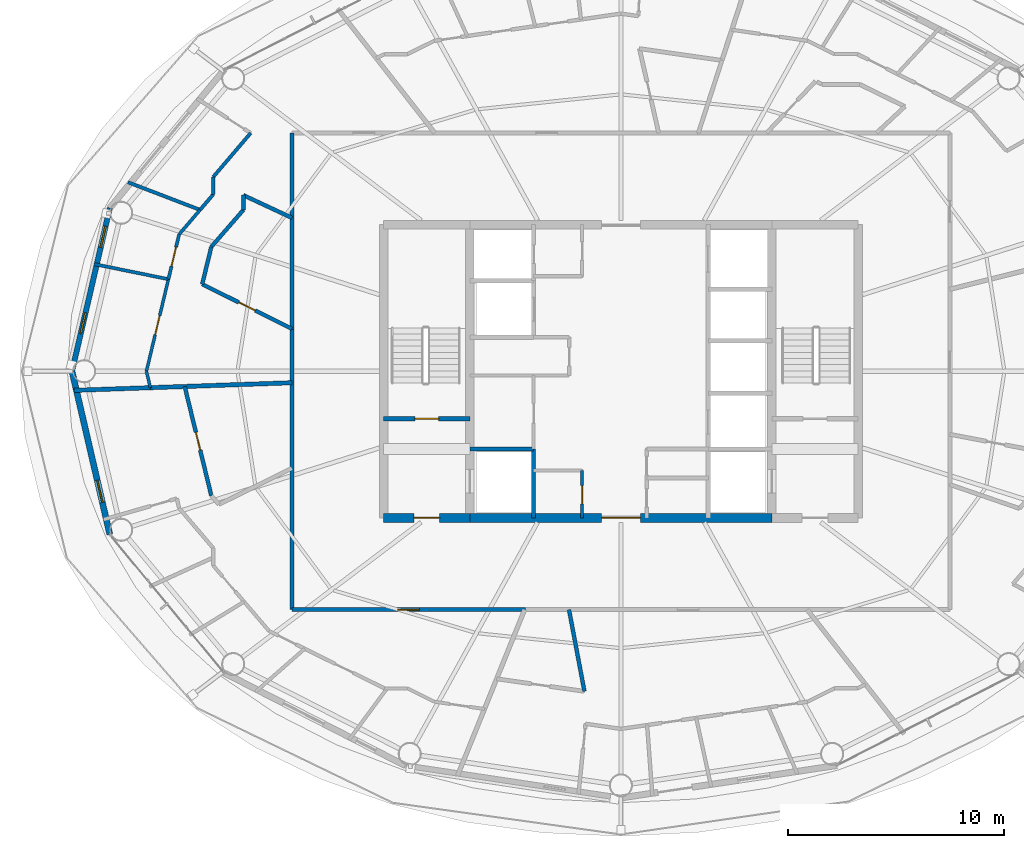
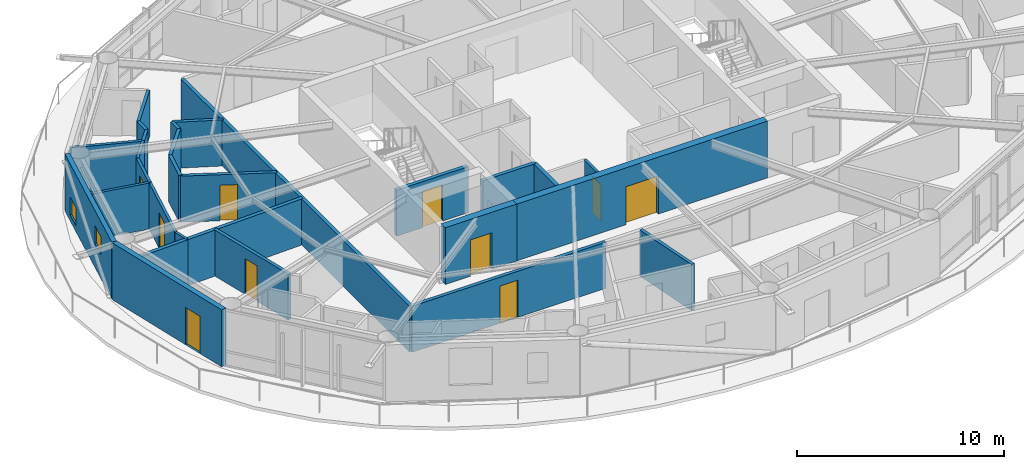
# One storey, part 16 of 23: 29 walls, 10 doors, 2 windows, 12 openings.
"""IFC4 building model written with IfcOpenShell, lengths in metres."""

from ifc_helpers import new_model, si_unit, direction, frame, frame_2d, origin, place, context, subcontext, project, spatial, rectangle, extrude, material, layer, layer_set, type_object, element, fill, save


model = new_model("IFC4")

# Units and contexts
model_context = context("Model", 3, precision=1e-05, world=origin(), true_north=direction((0.0, 1.0)))
body_context = subcontext(model_context, "Body", "Model", "MODEL_VIEW")
ifc_project = project(units=[si_unit("LENGTHUNIT", "METRE"), si_unit("AREAUNIT", "SQUARE_METRE"), si_unit("VOLUMEUNIT", "CUBIC_METRE"), si_unit("PLANEANGLEUNIT", "RADIAN"), si_unit("MASSUNIT", "GRAM", prefix="KILO")], contexts=[model_context])

# Site, building, storey
site_placement = place(None, origin())
site = spatial("IfcSite", under=ifc_project, at=site_placement, CompositionType="ELEMENT")
building_placement = place(site_placement, origin())
building = spatial("IfcBuilding", under=site, at=building_placement, Name="Sarneth Arch Tower", CompositionType="ELEMENT")
storey_placement = place(building_placement, frame((0.0, 0.0, 238.800048828125)))
storey = spatial("IfcBuildingStorey", under=building, at=storey_placement, Name="L61", CompositionType="ELEMENT", Elevation=238.800048828125)

# Wall, opening, door
ifc_material_1 = material(Name="Concrete C50/60", Category="concrete")
ifc_layer_1 = layer(ifc_material_1, 0.39990234375)
ifc_layer_set_1 = layer_set([ifc_layer_1], Name="Concrete C50/60")
wall_type_1 = type_object("IfcWallType", Name="WALL-CORE-400", PredefinedType="SHEAR", material=ifc_layer_set_1)
wall_1_placement = place(storey_placement, frame((37.0, 35.199951171875, 0.0), z_axis=(0.0, 0.0, 1.0), x_axis=(1.0, 0.0, 0.0)))
wall_1 = element("IfcWall", 1, at=wall_1_placement, inside=storey, type_object=wall_type_1, Name="L61 Core shear wall S-W", PredefinedType="SHEAR", context=body_context, shape_type="SweptSolid", body=[
    extrude(rectangle(XDim=4.0, YDim=0.39990234375, at=frame_2d((2.0, 0.0))), origin(), (0.0, 0.0, 1.0), 3.35986328125),
])
opening_1_placement = place(wall_1_placement, frame((1.39990234375, 0.0, 0.0)))
opening_1 = element("IfcOpeningElement", 2, at=opening_1_placement, cuts=wall_1, Name="Opening FD-02", PredefinedType="OPENING", context=body_context, shape_type="SweptSolid", body=[
    extrude(rectangle(XDim=1.199951171875, YDim=2.14990234375, at=frame_2d((0.60009765625, 1.074951171875))), frame((0.0, 0.2099609375, 0.0), z_axis=(0.0, -1.0, 0.0), x_axis=(1.0, 0.0, 0.0)), (0.0, 0.0, 1.0), 0.419921875),
])
ifc_material_2 = material(Name="Galvanised Steel S275 fire door set", Category="steel")
door_type_1 = type_object("IfcDoorType", Name="DR-FD90-1200", OperationType="SINGLE_SWING_LEFT", PredefinedType="DOOR", material=ifc_material_2)
door_1_placement = place(opening_1_placement, origin())
door_1 = element("IfcDoor", 3, at=door_1_placement, inside=storey, type_object=door_type_1, Name="L61 Firefighting lobby 1 exit door", OperationType="SINGLE_SWING_LEFT", OverallHeight=2.14990234375, OverallWidth=1.199951171875, PredefinedType="DOOR", context=body_context, shape_type="SweptSolid", body=[
    extrude(rectangle(XDim=1.199951171875, YDim=2.14990234375, at=frame_2d((0.60009765625, 1.074951171875))), frame((0.0, 0.02490234375, 0.0), z_axis=(0.0, -1.0, 0.0), x_axis=(1.0, 0.0, 0.0)), (0.0, 0.0, 1.0), 0.050048828125),
])
fill(opening_1, door_1)

wall_2_placement = place(storey_placement, frame((41.0, 35.199951171875, 0.0), z_axis=(0.0, 0.0, 1.0), x_axis=(1.0, 0.0, 0.0)))
wall_2 = element("IfcWall", 4, at=wall_2_placement, inside=storey, type_object=wall_type_1, Name="L61 Core shear wall S-M", PredefinedType="SHEAR", context=body_context, shape_type="SweptSolid", body=[
    extrude(rectangle(XDim=14.0, YDim=0.39990234375, at=frame_2d((7.0, 0.0))), origin(), (0.0, 0.0, 1.0), 3.35986328125),
])
opening_2_placement = place(wall_2_placement, frame((6.10009765625, 0.0, 0.0)))
opening_2 = element("IfcOpeningElement", 5, at=opening_2_placement, cuts=wall_2, Name="Opening FD-01", PredefinedType="OPENING", context=body_context, shape_type="SweptSolid", body=[
    extrude(rectangle(XDim=1.800048828125, YDim=2.25, at=frame_2d((0.89990234375, 1.125))), frame((0.0, 0.2099609375, 0.0), z_axis=(0.0, -1.0, 0.0), x_axis=(1.0, 0.0, 0.0)), (0.0, 0.0, 1.0), 0.419921875),
])
ifc_material_3 = material(Name="Galvanised Steel S275 fire door set", Category="steel")
door_type_2 = type_object("IfcDoorType", Name="DR-FD90-1800", OperationType="DOUBLE_DOOR_SINGLE_SWING", PredefinedType="DOOR", material=ifc_material_3)
door_2_placement = place(opening_2_placement, origin())
door_2 = element("IfcDoor", 6, at=door_2_placement, inside=storey, type_object=door_type_2, Name="L61 Central lift lobby south door", OperationType="DOUBLE_DOOR_SINGLE_SWING", OverallHeight=2.25, OverallWidth=1.800048828125, PredefinedType="DOOR", context=body_context, shape_type="SweptSolid", body=[
    extrude(rectangle(XDim=1.800048828125, YDim=2.25, at=frame_2d((0.89990234375, 1.125))), frame((0.0, 0.02490234375, 0.0), z_axis=(0.0, -1.0, 0.0), x_axis=(1.0, 0.0, 0.0)), (0.0, 0.0, 1.0), 0.050048828125),
])
fill(opening_2, door_2)

ifc_material_4 = material(Name="Double steel-stud corridor fire wall", Category="steel")
ifc_layer_2 = layer(ifc_material_4, 0.18994140625)
ifc_layer_set_2 = layer_set([ifc_layer_2], Name="Double steel-stud corridor fire wall")
wall_type_2 = type_object("IfcWallType", Name="WALL-CORR-190", PredefinedType="PARTITIONING", material=ifc_layer_set_2)
wall_3_placement = place(storey_placement, frame((43.570068359375, 30.949951171875, 0.0), z_axis=(0.0, 0.0, 1.0), x_axis=(-1.0, 0.0, 0.0)))
wall_3 = element("IfcWall", 7, at=wall_3_placement, inside=storey, type_object=wall_type_2, Name="L61 Interior partition W-L61-TP-011", PredefinedType="PARTITIONING", context=body_context, shape_type="SweptSolid", body=[
    extrude(rectangle(XDim=10.820068359375, YDim=0.18994140625, at=frame_2d((5.41015625, 0.0))), origin(), (0.0, 0.0, 1.0), 2.719970703125),
])
opening_3_placement = place(wall_3_placement, frame((4.909912109375, 0.0, 0.0)))
opening_3 = element("IfcOpeningElement", 8, at=opening_3_placement, cuts=wall_3, Name="Opening FD-08", PredefinedType="OPENING", context=body_context, shape_type="SweptSolid", body=[
    extrude(rectangle(XDim=1.0, YDim=2.199951171875, at=frame_2d((0.5, 1.10009765625))), frame((0.0, 0.10498046875, 0.0), z_axis=(0.0, -1.0, 0.0), x_axis=(1.0, 0.0, 0.0)), (0.0, 0.0, 1.0), 0.2099609375),
])
ifc_material_5 = material(Name="Hardwood timber acoustic fire door", Category="wood")
door_type_3 = type_object("IfcDoorType", Name="DR-FD60-1000", OperationType="SINGLE_SWING_LEFT", PredefinedType="DOOR", material=ifc_material_5)
door_3_placement = place(opening_3_placement, origin())
door_3 = element("IfcDoor", 9, at=door_3_placement, inside=storey, type_object=door_type_3, Name="L61 Interior door DR-L61-U4-ENT", OperationType="SINGLE_SWING_LEFT", OverallHeight=2.199951171875, OverallWidth=1.0, PredefinedType="DOOR", context=body_context, shape_type="SweptSolid", body=[
    extrude(rectangle(XDim=1.0, YDim=2.199951171875, at=frame_2d((0.5, 1.10009765625))), frame((0.0, 0.02490234375, 0.0), z_axis=(0.0, -1.0, 0.0), x_axis=(1.0, 0.0, 0.0)), (0.0, 0.0, 1.0), 0.050048828125),
])
fill(opening_3, door_3)

# Walls
wall_4_placement = place(storey_placement, frame((32.75, 30.949951171875, 0.0), z_axis=(0.0, 0.0, 1.0), x_axis=(0.0, 1.0, 0.0)))
element("IfcWall", 10, at=wall_4_placement, inside=storey, type_object=wall_type_2, Name="L61 Interior partition W-L61-TP-012", PredefinedType="PARTITIONING", context=body_context, shape_type="SweptSolid", body=[
    extrude(rectangle(XDim=13.054443359375, YDim=0.18994140625, at=frame_2d((6.52734375, 0.0))), origin(), (0.0, 0.0, 1.0), 2.719970703125),
])
wall_5_placement = place(storey_placement, frame((32.75, 43.932861328125, 0.0), z_axis=(0.0, 0.0, 1.0), x_axis=(0.0, 1.0, 0.0)))
element("IfcWall", 11, at=wall_5_placement, inside=storey, type_object=wall_type_2, Name="L61 Interior partition W-L61-TP-010", PredefinedType="PARTITIONING", context=body_context, shape_type="SweptSolid", body=[
    extrude(rectangle(XDim=9.1171875, YDim=0.18994140625, at=frame_2d((4.55859375, 0.0))), origin(), (0.0, 0.0, 1.0), 2.719970703125),
])

# Wall, openings, windows
ifc_material_6 = material(Name="Extruded terracotta rainscreen on Concrete C40/50 backing", Category="masonry")
ifc_layer_3 = layer(ifc_material_6, 0.25)
ifc_layer_set_3 = layer_set([ifc_layer_3], Name="Extruded terracotta rainscreen on Concrete C40/50 backing")
wall_type_3 = type_object("IfcWallType", Name="WALL-EXT-SPAND-250", PredefinedType="SOLIDWALL", material=ifc_layer_set_3)
wall_6_placement = place(storey_placement, frame((24.30615234375, 49.569580078125, 0.0), z_axis=(0.0, 0.0, 1.0), x_axis=(-0.225635078214, -0.974211892495, 0.0)))
wall_6 = element("IfcWall", 12, at=wall_6_placement, inside=storey, type_object=wall_type_3, Name="L61 Terracotta perimeter wall 08", PredefinedType="SOLIDWALL", context=body_context, shape_type="SweptSolid", body=[
    extrude(rectangle(XDim=7.77001953125, YDim=0.25, at=frame_2d((3.885009765625, 0.0))), origin(), (0.0, 0.0, 1.0), 3.35986328125),
])
opening_4_placement = place(wall_6_placement, frame((0.877685546875, 0.0, 0.35009765625)))
opening_4 = element("IfcOpeningElement", 13, at=opening_4_placement, cuts=wall_6, Name="Opening W-14", PredefinedType="OPENING", context=body_context, shape_type="SweptSolid", body=[
    extrude(rectangle(XDim=1.0, YDim=1.050048828125, at=frame_2d((0.5, 0.52490234375))), frame((0.0, 0.135009765625, 0.0), z_axis=(0.0, -1.0, 0.0), x_axis=(1.0, 0.0, 0.0)), (0.0, 0.0, 1.0), 0.27001953125),
])
opening_5_placement = place(wall_6_placement, frame((4.984619140625, 0.0, 1.419921875)))
opening_5 = element("IfcOpeningElement", 14, at=opening_5_placement, cuts=wall_6, Name="Opening W-14", PredefinedType="OPENING", context=body_context, shape_type="SweptSolid", body=[
    extrude(rectangle(XDim=1.0, YDim=1.050048828125, at=frame_2d((0.5, 0.52490234375))), frame((0.0, 0.135009765625, 0.0), z_axis=(0.0, -1.0, 0.0), x_axis=(1.0, 0.0, 0.0)), (0.0, 0.0, 1.0), 0.27001953125),
])
ifc_material_7 = material(Name="Thermally broken Aluminium 6063-T6 and low-e laminated IGU", Category="aluminium")
window_type = type_object("IfcWindowType", Name="WIN-TWR-1000x1050", PartitioningType="SINGLE_PANEL", PredefinedType="WINDOW", material=ifc_material_7)
window_1_placement = place(opening_4_placement, origin())
window_1 = element("IfcWindow", 15, at=window_1_placement, inside=storey, type_object=window_type, Name="L61 Dwelling bedroom window 03", OverallHeight=1.050048828125, OverallWidth=1.0, PartitioningType="SINGLE_PANEL", PredefinedType="WINDOW", context=body_context, shape_type="SweptSolid", body=[
    extrude(rectangle(XDim=1.0, YDim=1.050048828125, at=frame_2d((0.5, 0.52490234375))), frame((0.0, 0.030029296875, 0.0), z_axis=(0.0, -1.0, 0.0), x_axis=(1.0, 0.0, 0.0)), (0.0, 0.0, 1.0), 0.06005859375),
])
fill(opening_4, window_1)
window_2_placement = place(opening_5_placement, origin())
window_2 = element("IfcWindow", 16, at=window_2_placement, inside=storey, type_object=window_type, Name="L61 Dwelling bedroom window 04", OverallHeight=1.050048828125, OverallWidth=1.0, PartitioningType="SINGLE_PANEL", PredefinedType="WINDOW", context=body_context, shape_type="SweptSolid", body=[
    extrude(rectangle(XDim=1.0, YDim=1.050048828125, at=frame_2d((0.5, 0.52490234375))), frame((0.0, 0.030029296875, 0.0), z_axis=(0.0, -1.0, 0.0), x_axis=(1.0, 0.0, 0.0)), (0.0, 0.0, 1.0), 0.06005859375),
])
fill(opening_5, window_2)

# Wall, opening, door
ifc_material_8 = material(Name="Extruded terracotta rainscreen on Concrete C40/50 backing", Category="masonry")
ifc_layer_4 = layer(ifc_material_8, 0.280029296875)
ifc_layer_set_4 = layer_set([ifc_layer_4], Name="Extruded terracotta rainscreen on Concrete C40/50 backing")
wall_type_4 = type_object("IfcWallType", Name="WALL-EXT-TERRA-280", PredefinedType="SOLIDWALL", material=ifc_layer_set_4)
wall_7_placement = place(storey_placement, frame((22.552978515625, 42.0, 0.0), z_axis=(0.0, 0.0, 1.0), x_axis=(0.225635078214, -0.974211892495, 0.0)))
wall_7 = element("IfcWall", 17, at=wall_7_placement, inside=storey, type_object=wall_type_4, Name="L61 Terracotta perimeter wall 09", PredefinedType="SOLIDWALL", context=body_context, shape_type="SweptSolid", body=[
    extrude(rectangle(XDim=7.77001953125, YDim=0.280029296875, at=frame_2d((3.885009765625, 0.0))), origin(), (0.0, 0.0, 1.0), 3.35986328125),
])
opening_6_placement = place(wall_7_placement, frame((5.192138671875, 0.0, 0.0)))
opening_6 = element("IfcOpeningElement", 18, at=opening_6_placement, cuts=wall_7, Name="Opening BD-4", PredefinedType="OPENING", context=body_context, shape_type="SweptSolid", body=[
    extrude(rectangle(XDim=1.050048828125, YDim=2.199951171875, at=frame_2d((0.52490234375, 1.10009765625))), frame((0.0, 0.14990234375, 0.0), z_axis=(0.0, -1.0, 0.0), x_axis=(1.0, 0.0, 0.0)), (0.0, 0.0, 1.0), 0.300048828125),
])
ifc_material_9 = material(Name="Thermally broken Aluminium 6063-T6 and laminated safety glass", Category="aluminium")
door_type_4 = type_object("IfcDoorType", Name="DR-BALC-GLZ-1050", OperationType="SINGLE_SWING_RIGHT", PredefinedType="DOOR", material=ifc_material_9)
door_4_placement = place(opening_6_placement, origin())
door_4 = element("IfcDoor", 19, at=door_4_placement, inside=storey, type_object=door_type_4, Name="L61 Balcony glazed door 09", OperationType="SINGLE_SWING_RIGHT", OverallHeight=2.199951171875, OverallWidth=1.050048828125, PredefinedType="DOOR", context=body_context, shape_type="SweptSolid", body=[
    extrude(rectangle(XDim=1.050048828125, YDim=2.199951171875, at=frame_2d((0.52490234375, 1.10009765625))), frame((0.0, 0.02490234375, 0.0), z_axis=(0.0, -1.0, 0.0), x_axis=(1.0, 0.0, 0.0)), (0.0, 0.0, 1.0), 0.050048828125),
])
fill(opening_6, door_4)

ifc_material_10 = material(Name="Apartment internal stud partition", Category="gypsum")
ifc_layer_5 = layer(ifc_material_10, 0.139892578125)
ifc_layer_set_5 = layer_set([ifc_layer_5], Name="Apartment internal stud partition")
wall_type_5 = type_object("IfcWallType", Name="WALL-PART-140", PredefinedType="PARTITIONING", material=ifc_layer_set_5)
wall_8_placement = place(storey_placement, frame((27.02294921875, 46.267822265625, 0.0), z_axis=(0.0, 0.0, 1.0), x_axis=(-0.232297465709, -0.972644789954, 0.0)))
wall_8 = element("IfcWall", 20, at=wall_8_placement, inside=storey, type_object=wall_type_5, Name="L61 Interior partition W-L61-TP-069", PredefinedType="PARTITIONING", context=body_context, shape_type="SweptSolid", body=[
    extrude(rectangle(XDim=4.387939453125, YDim=0.139892578125, at=frame_2d((2.19384765625, 0.0))), origin(), (0.0, 0.0, 1.0), 2.719970703125),
])
opening_7_placement = place(wall_8_placement, frame((1.743896484375, 0.0, 0.0)))
opening_7 = element("IfcOpeningElement", 21, at=opening_7_placement, cuts=wall_8, Name="Opening ID-01", PredefinedType="OPENING", context=body_context, shape_type="SweptSolid", body=[
    extrude(rectangle(XDim=0.89990234375, YDim=2.10009765625, at=frame_2d((0.449951171875, 1.050048828125))), frame((0.0, 0.079833984375, 0.0), z_axis=(0.0, -1.0, 0.0), x_axis=(1.0, 0.0, 0.0)), (0.0, 0.0, 1.0), 0.159912109375),
])
ifc_material_11 = material(Name="Engineered hardwood flush door", Category="wood")
door_type_5 = type_object("IfcDoorType", Name="DR-INT-900", OperationType="SINGLE_SWING_LEFT", PredefinedType="DOOR", material=ifc_material_11)
door_5_placement = place(opening_7_placement, origin())
door_5 = element("IfcDoor", 22, at=door_5_placement, inside=storey, type_object=door_type_5, Name="L61 Interior door DR-L61-U3-BED2", OperationType="SINGLE_SWING_LEFT", OverallHeight=2.10009765625, OverallWidth=0.89990234375, PredefinedType="DOOR", context=body_context, shape_type="SweptSolid", body=[
    extrude(rectangle(XDim=0.89990234375, YDim=2.10009765625, at=frame_2d((0.449951171875, 1.050048828125))), frame((0.0, 0.02490234375, 0.0), z_axis=(0.0, -1.0, 0.0), x_axis=(1.0, 0.0, 0.0)), (0.0, 0.0, 1.0), 0.050048828125),
])
fill(opening_7, door_5)

# Wall
wall_9_placement = place(storey_placement, frame((26.003662109375, 42.0, 0.0), z_axis=(0.0, 0.0, 1.0), x_axis=(0.232252672351, -0.972655486894, 0.0)))
element("IfcWall", 23, at=wall_9_placement, inside=storey, type_object=wall_type_5, Name="L61 Interior partition W-L61-TP-070", PredefinedType="PARTITIONING", context=body_context, shape_type="SweptSolid", body=[
    extrude(rectangle(XDim=0.783203125, YDim=0.139892578125, at=frame_2d((0.3916015625, 0.0))), origin(), (0.0, 0.0, 1.0), 2.719970703125),
])

# Wall, opening, door
ifc_material_12 = material(Name="Acoustic gypsum stud partition", Category="gypsum")
ifc_layer_6 = layer(ifc_material_12, 0.14990234375)
ifc_layer_set_6 = layer_set([ifc_layer_6], Name="Acoustic gypsum stud partition")
wall_type_6 = type_object("IfcWallType", Name="WALL-PART-150", PredefinedType="PARTITIONING", material=ifc_layer_set_6)
wall_10_placement = place(storey_placement, frame((46.199951171875, 35.199951171875, 0.0), z_axis=(0.0, 0.0, 1.0), x_axis=(0.0, 1.0, 0.0)))
wall_10 = element("IfcWall", 24, at=wall_10_placement, inside=storey, type_object=wall_type_6, Name="L61 Interior partition W-L61-CSUP1-E", PredefinedType="PARTITIONING", context=body_context, shape_type="SweptSolid", body=[
    extrude(rectangle(XDim=2.199951171875, YDim=0.14990234375, at=frame_2d((1.10009765625, 0.0))), origin(), (0.0, 0.0, 1.0), 2.719970703125),
])
opening_8_placement = place(wall_10_placement, frame((0.64990234375, 0.0, 0.0)))
opening_8 = element("IfcOpeningElement", 25, at=opening_8_placement, cuts=wall_10, Name="Opening FD-11", PredefinedType="OPENING", context=body_context, shape_type="SweptSolid", body=[
    extrude(rectangle(XDim=0.85009765625, YDim=2.14990234375, at=frame_2d((0.425048828125, 1.074951171875))), frame((0.0, 0.0849609375, 0.0), z_axis=(0.0, -1.0, 0.0), x_axis=(1.0, 0.0, 0.0)), (0.0, 0.0, 1.0), 0.169921875),
])
ifc_material_13 = material(Name="Galvanised Steel S275 closet fire door", Category="steel")
door_type_6 = type_object("IfcDoorType", Name="DR-FD60-850", OperationType="SINGLE_SWING_LEFT", PredefinedType="DOOR", material=ifc_material_13)
door_6_placement = place(opening_8_placement, origin())
door_6 = element("IfcDoor", 26, at=door_6_placement, inside=storey, type_object=door_type_6, Name="L61 Interior door DR-L61-CSUP1", OperationType="SINGLE_SWING_LEFT", OverallHeight=2.14990234375, OverallWidth=0.85009765625, PredefinedType="DOOR", context=body_context, shape_type="SweptSolid", body=[
    extrude(rectangle(XDim=0.85009765625, YDim=2.14990234375, at=frame_2d((0.425048828125, 1.074951171875))), frame((0.0, 0.02490234375, 0.0), z_axis=(0.0, -1.0, 0.0), x_axis=(1.0, 0.0, 0.0)), (0.0, 0.0, 1.0), 0.050048828125),
])
fill(opening_8, door_6)

# Wall
wall_11_placement = place(storey_placement, frame((23.58056640625, 46.96826171875, 0.0), z_axis=(0.0, 0.0, 1.0), x_axis=(0.979920324581, -0.199389461789, 0.0)))
element("IfcWall", 27, at=wall_11_placement, inside=storey, type_object=wall_type_6, Name="L61 Interior partition W-L61-TP-074", PredefinedType="PARTITIONING", context=body_context, shape_type="SweptSolid", body=[
    extrude(rectangle(XDim=3.512939453125, YDim=0.14990234375, at=frame_2d((1.75634765625, 0.0))), origin(), (0.0, 0.0, 1.0), 2.719970703125),
])

# Wall, opening, door
wall_12_placement = place(storey_placement, frame((27.51904296875, 48.344970703125, 0.0), z_axis=(0.0, 0.0, 1.0), x_axis=(-0.232300509632, -0.972644062967, 0.0)))
wall_12 = element("IfcWall", 28, at=wall_12_placement, inside=storey, type_object=wall_type_6, Name="L61 Interior partition W-L61-TP-068", PredefinedType="PARTITIONING", context=body_context, shape_type="SweptSolid", body=[
    extrude(rectangle(XDim=2.135498046875, YDim=0.14990234375, at=frame_2d((1.06787109375, 0.0))), origin(), (0.0, 0.0, 1.0), 2.719970703125),
])
opening_9_placement = place(wall_12_placement, frame((0.617919921875, 0.0, 0.0)))
opening_9 = element("IfcOpeningElement", 29, at=opening_9_placement, cuts=wall_12, Name="Opening ID-01", PredefinedType="OPENING", context=body_context, shape_type="SweptSolid", body=[
    extrude(rectangle(XDim=0.89990234375, YDim=2.10009765625, at=frame_2d((0.449951171875, 1.050048828125))), frame((0.0, 0.0849609375, 0.0), z_axis=(0.0, -1.0, 0.0), x_axis=(1.0, 0.0, 0.0)), (0.0, 0.0, 1.0), 0.169921875),
])
door_7_placement = place(opening_9_placement, origin())
door_7 = element("IfcDoor", 30, at=door_7_placement, inside=storey, type_object=door_type_5, Name="L61 Interior door DR-L61-U3-BED1", OperationType="SINGLE_SWING_LEFT", OverallHeight=2.10009765625, OverallWidth=0.89990234375, PredefinedType="DOOR", context=body_context, shape_type="SweptSolid", body=[
    extrude(rectangle(XDim=0.89990234375, YDim=2.10009765625, at=frame_2d((0.449951171875, 1.050048828125))), frame((0.0, 0.02490234375, 0.0), z_axis=(0.0, -1.0, 0.0), x_axis=(1.0, 0.0, 0.0)), (0.0, 0.0, 1.0), 0.050048828125),
])
fill(opening_9, door_7)

# Walls
wall_13_placement = place(storey_placement, frame((28.489013671875, 49.481201171875, 0.0), z_axis=(0.0, 0.0, 1.0), x_axis=(-0.64926929687, -0.760558597441, 0.0)))
element("IfcWall", 31, at=wall_13_placement, inside=storey, type_object=wall_type_6, Name="L61 Interior partition W-L61-TP-067", PredefinedType="PARTITIONING", context=body_context, shape_type="SweptSolid", body=[
    extrude(rectangle(XDim=1.493896484375, YDim=0.14990234375, at=frame_2d((0.7470703125, 0.0))), origin(), (0.0, 0.0, 1.0), 2.719970703125),
])
ifc_material_14 = material(Name="Kitchen wet service chase wall", Category="gypsum")
ifc_layer_7 = layer(ifc_material_14, 0.159912109375)
ifc_layer_set_7 = layer_set([ifc_layer_7], Name="Kitchen wet service chase wall")
wall_type_7 = type_object("IfcWallType", Name="WALL-PLUMB-160", PredefinedType="PLUMBINGWALL", material=ifc_layer_set_7)
wall_14_placement = place(storey_placement, frame((25.146484375, 50.762939453125, 0.0), z_axis=(0.0, 0.0, 1.0), x_axis=(0.933705463068, -0.358042048142, 0.0)))
element("IfcWall", 32, at=wall_14_placement, inside=storey, type_object=wall_type_7, Name="L61 Interior partition W-L61-TP-073", PredefinedType="PLUMBINGWALL", context=body_context, shape_type="SweptSolid", body=[
    extrude(rectangle(XDim=3.579833984375, YDim=0.159912109375, at=frame_2d((1.7900390625, 0.0))), origin(), (0.0, 0.0, 1.0), 2.719970703125),
])
wall_15_placement = place(storey_placement, frame((30.836181640625, 53.04248046875, 0.0), z_axis=(0.0, 0.0, 1.0), x_axis=(-0.648948159828, -0.760832626703, 0.0)))
element("IfcWall", 33, at=wall_15_placement, inside=storey, type_object=wall_type_7, Name="L61 Interior partition W-L61-TP-059", PredefinedType="PLUMBINGWALL", context=body_context, shape_type="SweptSolid", body=[
    extrude(rectangle(XDim=2.67529296875, YDim=0.159912109375, at=frame_2d((1.337646484375, 0.0))), origin(), (0.0, 0.0, 1.0), 2.719970703125),
])
wall_16_placement = place(storey_placement, frame((29.10009765625, 50.197021484375, 0.0), z_axis=(0.0, 0.0, 1.0), x_axis=(-0.649273359201, -0.760555129515, 0.0)))
element("IfcWall", 34, at=wall_16_placement, inside=storey, type_object=wall_type_7, Name="L61 Interior partition W-L61-TP-061", PredefinedType="PLUMBINGWALL", context=body_context, shape_type="SweptSolid", body=[
    extrude(rectangle(XDim=0.941162109375, YDim=0.159912109375, at=frame_2d((0.470703125, 0.0))), origin(), (0.0, 0.0, 1.0), 2.719970703125),
])
wall_17_placement = place(storey_placement, frame((29.10009765625, 51.007080078125, 0.0), z_axis=(0.0, 0.0, 1.0), x_axis=(0.0, -1.0, 0.0)))
element("IfcWall", 35, at=wall_17_placement, inside=storey, type_object=wall_type_7, Name="L61 Interior partition W-L61-TP-060", PredefinedType="PLUMBINGWALL", context=body_context, shape_type="SweptSolid", body=[
    extrude(rectangle(XDim=0.81005859375, YDim=0.159912109375, at=frame_2d((0.405029296875, 0.0))), origin(), (0.0, 0.0, 1.0), 2.719970703125),
])

# Wall, opening, door
ifc_material_15 = material(Name="Moisture-resistant plumbing chase wall", Category="gypsum")
ifc_layer_8 = layer(ifc_material_15, 0.179931640625)
ifc_layer_set_8 = layer_set([ifc_layer_8], Name="Moisture-resistant plumbing chase wall")
wall_type_8 = type_object("IfcWallType", Name="WALL-PLUMB-180", PredefinedType="PLUMBINGWALL", material=ifc_layer_set_8)
wall_18_placement = place(storey_placement, frame((29.012451171875, 36.22900390625, 0.0), z_axis=(0.0, 0.0, 1.0), x_axis=(-0.236558321497, 0.971617291185, 0.0)))
wall_18 = element("IfcWall", 36, at=wall_18_placement, inside=storey, type_object=wall_type_8, Name="L61 Interior partition W-L61-TP-084", PredefinedType="PLUMBINGWALL", context=body_context, shape_type="SweptSolid", body=[
    extrude(rectangle(XDim=5.212890625, YDim=0.179931640625, at=frame_2d((2.6064453125, 0.0))), origin(), (0.0, 0.0, 1.0), 2.719970703125),
])
opening_10_placement = place(wall_18_placement, frame((2.181396484375, 0.0, 0.0)))
opening_10 = element("IfcOpeningElement", 37, at=opening_10_placement, cuts=wall_18, Name="Opening ID-02", PredefinedType="OPENING", context=body_context, shape_type="SweptSolid", body=[
    extrude(rectangle(XDim=0.85009765625, YDim=2.10009765625, at=frame_2d((0.425048828125, 1.050048828125))), frame((0.0, 0.099853515625, 0.0), z_axis=(0.0, -1.0, 0.0), x_axis=(1.0, 0.0, 0.0)), (0.0, 0.0, 1.0), 0.199951171875),
])
ifc_material_16 = material(Name="Moisture-resistant bathroom timber door", Category="wood")
door_type_7 = type_object("IfcDoorType", Name="DR-INT-850", OperationType="SINGLE_SWING_RIGHT", PredefinedType="DOOR", material=ifc_material_16)
door_8_placement = place(opening_10_placement, origin())
door_8 = element("IfcDoor", 38, at=door_8_placement, inside=storey, type_object=door_type_7, Name="L61 Interior door DR-L61-U4-BATH", OperationType="SINGLE_SWING_RIGHT", OverallHeight=2.10009765625, OverallWidth=0.85009765625, PredefinedType="DOOR", context=body_context, shape_type="SweptSolid", body=[
    extrude(rectangle(XDim=0.85009765625, YDim=2.10009765625, at=frame_2d((0.425048828125, 1.050048828125))), frame((0.0, 0.02490234375, 0.0), z_axis=(0.0, -1.0, 0.0), x_axis=(1.0, 0.0, 0.0)), (0.0, 0.0, 1.0), 0.050048828125),
])
fill(opening_10, door_8)

wall_19_placement = place(storey_placement, frame((28.589599609375, 46.0341796875, 0.0), z_axis=(0.0, 0.0, 1.0), x_axis=(0.895674619474, -0.444709990926, 0.0)))
wall_19 = element("IfcWall", 39, at=wall_19_placement, inside=storey, type_object=wall_type_8, Name="L61 Interior partition W-L61-TP-066", PredefinedType="PLUMBINGWALL", context=body_context, shape_type="SweptSolid", body=[
    extrude(rectangle(XDim=4.64501953125, YDim=0.179931640625, at=frame_2d((2.322509765625, 0.0))), origin(), (0.0, 0.0, 1.0), 2.719970703125),
])
opening_11_placement = place(wall_19_placement, frame((1.8974609375, 0.0, 0.0)))
opening_11 = element("IfcOpeningElement", 40, at=opening_11_placement, cuts=wall_19, Name="Opening ID-02", PredefinedType="OPENING", context=body_context, shape_type="SweptSolid", body=[
    extrude(rectangle(XDim=0.85009765625, YDim=2.10009765625, at=frame_2d((0.425048828125, 1.050048828125))), frame((0.0, 0.099853515625, 0.0), z_axis=(0.0, -1.0, 0.0), x_axis=(1.0, 0.0, 0.0)), (0.0, 0.0, 1.0), 0.199951171875),
])
door_9_placement = place(opening_11_placement, origin())
door_9 = element("IfcDoor", 41, at=door_9_placement, inside=storey, type_object=door_type_7, Name="L61 Interior door DR-L61-U3-BATH", OperationType="SINGLE_SWING_RIGHT", OverallHeight=2.10009765625, OverallWidth=0.85009765625, PredefinedType="DOOR", context=body_context, shape_type="SweptSolid", body=[
    extrude(rectangle(XDim=0.85009765625, YDim=2.10009765625, at=frame_2d((0.425048828125, 1.050048828125))), frame((0.0, 0.02490234375, 0.0), z_axis=(0.0, -1.0, 0.0), x_axis=(1.0, 0.0, 0.0)), (0.0, 0.0, 1.0), 0.050048828125),
])
fill(opening_11, door_9)

# Walls
wall_20_placement = place(storey_placement, frame((45.59423828125, 30.949951171875, 0.0), z_axis=(0.0, 0.0, 1.0), x_axis=(0.18532477331, -0.982677326694, 0.0)))
element("IfcWall", 42, at=wall_20_placement, inside=storey, type_object=wall_type_8, Name="L61 Interior partition W-L61-TP-102", PredefinedType="PLUMBINGWALL", context=body_context, shape_type="SweptSolid", body=[
    extrude(rectangle(XDim=3.8544921875, YDim=0.179931640625, at=frame_2d((1.92724609375, 0.0))), origin(), (0.0, 0.0, 1.0), 2.719970703125),
])
wall_21_placement = place(storey_placement, frame((32.75, 49.111083984375, 0.0), z_axis=(0.0, 0.0, 1.0), x_axis=(-0.906288628397, 0.422659345144, 0.0)))
element("IfcWall", 43, at=wall_21_placement, inside=storey, type_object=wall_type_8, Name="L61 Interior partition W-L61-TP-062", PredefinedType="PLUMBINGWALL", context=body_context, shape_type="SweptSolid", body=[
    extrude(rectangle(XDim=2.482666015625, YDim=0.179931640625, at=frame_2d((1.2412109375, 0.0))), origin(), (0.0, 0.0, 1.0), 2.719970703125),
])
wall_22_placement = place(storey_placement, frame((30.5, 49.480712890625, 0.0), z_axis=(0.0, 0.0, 1.0), x_axis=(-0.656389391797, -0.754422273224, 0.0)))
element("IfcWall", 44, at=wall_22_placement, inside=storey, type_object=wall_type_8, Name="L61 Interior partition W-L61-TP-064", PredefinedType="PLUMBINGWALL", context=body_context, shape_type="SweptSolid", body=[
    extrude(rectangle(XDim=2.266357421875, YDim=0.179931640625, at=frame_2d((1.13330078125, 0.0))), origin(), (0.0, 0.0, 1.0), 2.719970703125),
])
wall_23_placement = place(storey_placement, frame((29.012451171875, 47.77099609375, 0.0), z_axis=(0.0, 0.0, 1.0), x_axis=(-0.236553709998, -0.971618413929, 0.0)))
element("IfcWall", 45, at=wall_23_placement, inside=storey, type_object=wall_type_8, Name="L61 Interior partition W-L61-TP-065", PredefinedType="PLUMBINGWALL", context=body_context, shape_type="SweptSolid", body=[
    extrude(rectangle(XDim=1.78759765625, YDim=0.179931640625, at=frame_2d((0.893798828125, 0.0))), origin(), (0.0, 0.0, 1.0), 2.719970703125),
])
wall_24_placement = place(storey_placement, frame((30.5, 50.160400390625, 0.0), z_axis=(0.0, 0.0, 1.0), x_axis=(0.0, -1.0, 0.0)))
element("IfcWall", 46, at=wall_24_placement, inside=storey, type_object=wall_type_8, Name="L61 Interior partition W-L61-TP-063", PredefinedType="PLUMBINGWALL", context=body_context, shape_type="SweptSolid", body=[
    extrude(rectangle(XDim=0.6796875, YDim=0.179931640625, at=frame_2d((0.33984375, 0.0))), origin(), (0.0, 0.0, 1.0), 2.719970703125),
])

# Wall, opening, door
ifc_material_17 = material(Name="Aerated concrete blockwork C25/30", Category="masonry")
ifc_layer_9 = layer(ifc_material_17, 0.199951171875)
ifc_layer_set_9 = layer_set([ifc_layer_9], Name="Aerated concrete blockwork C25/30")
wall_type_9 = type_object("IfcWallType", Name="WALL-SHAFT-200", PredefinedType="SOLIDWALL", material=ifc_layer_set_9)
wall_25_placement = place(storey_placement, frame((37.0, 39.800048828125, 0.0), z_axis=(0.0, 0.0, 1.0), x_axis=(1.0, 0.0, 0.0)))
wall_25 = element("IfcWall", 47, at=wall_25_placement, inside=storey, type_object=wall_type_9, Name="L61 Interior partition W-L61-ST1-S", PredefinedType="SOLIDWALL", context=body_context, shape_type="SweptSolid", body=[
    extrude(rectangle(XDim=4.0, YDim=0.199951171875, at=frame_2d((2.0, 0.0))), origin(), (0.0, 0.0, 1.0), 2.719970703125),
])
opening_12_placement = place(wall_25_placement, frame((1.449951171875, 0.0, 0.0)))
opening_12 = element("IfcOpeningElement", 48, at=opening_12_placement, cuts=wall_25, Name="Opening FD-03", PredefinedType="OPENING", context=body_context, shape_type="SweptSolid", body=[
    extrude(rectangle(XDim=1.10009765625, YDim=2.14990234375, at=frame_2d((0.550048828125, 1.074951171875))), frame((0.0, 0.10986328125, 0.0), z_axis=(0.0, -1.0, 0.0), x_axis=(1.0, 0.0, 0.0)), (0.0, 0.0, 1.0), 0.219970703125),
])
ifc_material_18 = material(Name="Galvanised Steel S275 fire door set", Category="steel")
door_type_8 = type_object("IfcDoorType", Name="DR-FD90-1100", OperationType="SINGLE_SWING_LEFT", PredefinedType="DOOR", material=ifc_material_18)
door_10_placement = place(opening_12_placement, origin())
door_10 = element("IfcDoor", 49, at=door_10_placement, inside=storey, type_object=door_type_8, Name="L61 Interior door DR-L61-ST1", OperationType="SINGLE_SWING_LEFT", OverallHeight=2.14990234375, OverallWidth=1.10009765625, PredefinedType="DOOR", context=body_context, shape_type="SweptSolid", body=[
    extrude(rectangle(XDim=1.10009765625, YDim=2.14990234375, at=frame_2d((0.550048828125, 1.074951171875))), frame((0.0, 0.02490234375, 0.0), z_axis=(0.0, -1.0, 0.0), x_axis=(1.0, 0.0, 0.0)), (0.0, 0.0, 1.0), 0.050048828125),
])
fill(opening_12, door_10)

# Walls
wall_26_placement = place(storey_placement, frame((43.949951171875, 35.199951171875, 0.0), z_axis=(0.0, 0.0, 1.0), x_axis=(0.0, 1.0, 0.0)))
element("IfcWall", 50, at=wall_26_placement, inside=storey, type_object=wall_type_9, Name="L61 Interior partition W-L61-FL1-E", PredefinedType="SOLIDWALL", context=body_context, shape_type="SweptSolid", body=[
    extrude(rectangle(XDim=3.199951171875, YDim=0.199951171875, at=frame_2d((1.60009765625, 0.0))), origin(), (0.0, 0.0, 1.0), 2.719970703125),
])
wall_27_placement = place(storey_placement, frame((41.0, 38.39990234375, 0.0), z_axis=(0.0, 0.0, 1.0), x_axis=(1.0, 0.0, 0.0)))
element("IfcWall", 51, at=wall_27_placement, inside=storey, type_object=wall_type_9, Name="L61 Interior partition W-L61-FL1-N", PredefinedType="SOLIDWALL", context=body_context, shape_type="SweptSolid", body=[
    extrude(rectangle(XDim=2.949951171875, YDim=0.199951171875, at=frame_2d((1.47509765625, 0.0))), origin(), (0.0, 0.0, 1.0), 2.719970703125),
])
ifc_material_19 = material(Name="Double steel-stud acoustic drywall", Category="steel")
ifc_layer_10 = layer(ifc_material_19, 0.199951171875)
ifc_layer_set_10 = layer_set([ifc_layer_10], Name="Double steel-stud acoustic drywall")
wall_type_10 = type_object("IfcWallType", Name="WALL-UNIT-200", PredefinedType="PARTITIONING", material=ifc_layer_set_10)
wall_28_placement = place(storey_placement, frame((26.185546875, 41.23828125, 0.0), z_axis=(0.0, 0.0, 1.0), x_axis=(0.999390761745, 0.034901365861, 0.0)))
element("IfcWall", 52, at=wall_28_placement, inside=storey, type_object=wall_type_10, Name="L61 Interior partition W-L61-TP-072", PredefinedType="PARTITIONING", context=body_context, shape_type="SweptSolid", body=[
    extrude(rectangle(XDim=6.568359375, YDim=0.199951171875, at=frame_2d((3.2841796875, 0.0))), origin(), (0.0, 0.0, 1.0), 2.719970703125),
])
wall_29_placement = place(storey_placement, frame((26.185546875, 41.23828125, 0.0), z_axis=(0.0, 0.0, 1.0), x_axis=(-0.999389719612, -0.034931194273, 0.0)))
element("IfcWall", 53, at=wall_29_placement, inside=storey, type_object=wall_type_10, Name="L61 Interior partition W-L61-TP-075", PredefinedType="PARTITIONING", context=body_context, shape_type="SweptSolid", body=[
    extrude(rectangle(XDim=3.550537109375, YDim=0.199951171875, at=frame_2d((1.775390625, 0.0))), origin(), (0.0, 0.0, 1.0), 2.719970703125),
])

save(model, "model.ifc")
